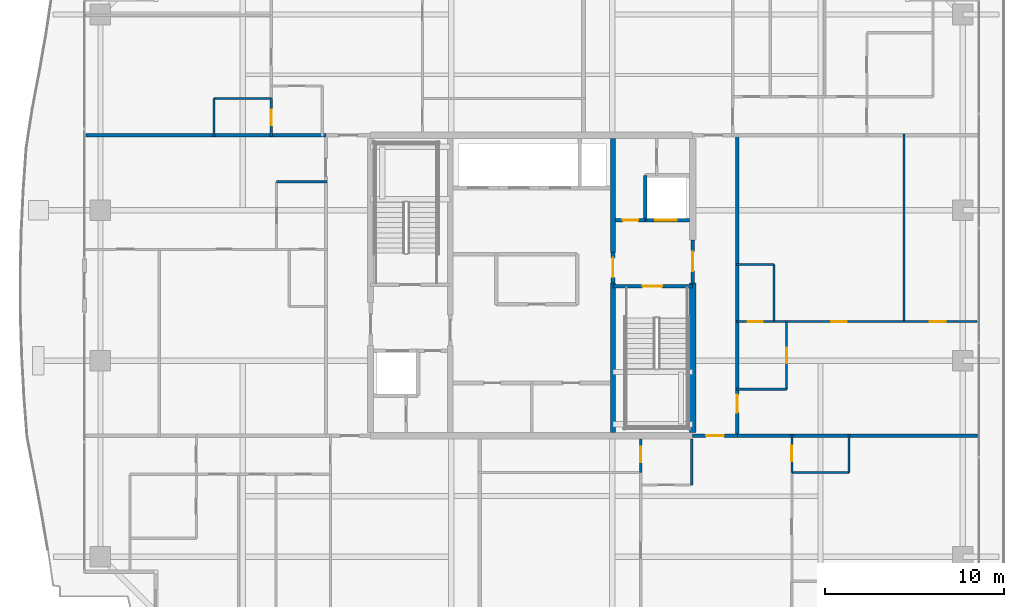
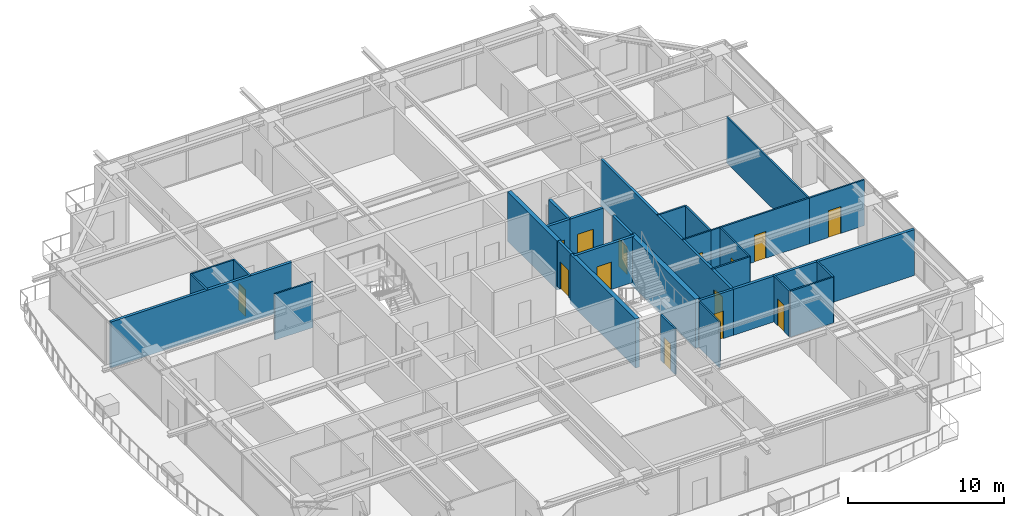
# One storey, part 26 of 37: 30 walls, 14 doors, 14 openings.
"""IFC4 building model written with IfcOpenShell, lengths in metres."""

from ifc_helpers import new_model, si_unit, direction, frame, frame_2d, origin, place, context, subcontext, project, spatial, rectangle, extrude, source, transform, mapped, material, layer, layer_set, type_object, element, fill, save


model = new_model("IFC4")

# Units and contexts
model_context = context("Model", 3, precision=1e-05, world=origin(), true_north=direction((0.0, 1.0)))
body_context = subcontext(model_context, "Body", "Model", "MODEL_VIEW")
ifc_project = project(units=[si_unit("LENGTHUNIT", "METRE"), si_unit("AREAUNIT", "SQUARE_METRE"), si_unit("VOLUMEUNIT", "CUBIC_METRE"), si_unit("PLANEANGLEUNIT", "RADIAN"), si_unit("MASSUNIT", "GRAM", prefix="KILO")], contexts=[model_context])

# Site, building, storey
site_placement = place(None, origin())
site = spatial("IfcSite", under=ifc_project, at=site_placement, CompositionType="ELEMENT")
building_placement = place(site_placement, origin())
building = spatial("IfcBuilding", under=site, at=building_placement, Name="Serunith Strait Residences", CompositionType="ELEMENT")
storey_placement = place(building_placement, frame((0.0, 0.0, 218.14990234375)))
storey = spatial("IfcBuildingStorey", under=building, at=storey_placement, Name="L54", CompositionType="ELEMENT", Elevation=218.14990234375)

# Wall, opening, door
ifc_material_1 = material(Name="Fire-rated acoustic gypsum partition")
ifc_layer_1 = layer(ifc_material_1, 0.179931640625, Name="Fire-rated acoustic gypsum partition")
ifc_layer_set_1 = layer_set([ifc_layer_1], Name="Fire-rated acoustic gypsum partition")
wall_type_1 = type_object("IfcWallType", Name="IW-CORR-180", PredefinedType="PARTITIONING", material=ifc_layer_set_1)
wall_1_placement = place(storey_placement, frame((41.402099609375, 16.800048828125, 0.0), z_axis=(0.0, 0.0, 1.0), x_axis=(1.0, 0.0, 0.0)))
wall_1 = element("IfcWall", 1, at=wall_1_placement, inside=storey, type_object=wall_type_1, Name="L54 Partition Wall 029", PredefinedType="PARTITIONING", context=body_context, shape_type="SweptSolid", body=[
    extrude(rectangle(XDim=2.495849609375, YDim=0.179931640625, at=frame_2d((1.248046875, 0.0))), origin(), (0.0, 0.0, 1.0), 3.590087890625),
])
opening_1_placement = place(wall_1_placement, frame((0.748046875, 0.0, 0.0)))
opening_1 = element("IfcOpeningElement", 2, at=opening_1_placement, cuts=wall_1, Name="Opening D-APT1000", PredefinedType="OPENING", context=body_context, shape_type="SweptSolid", body=[
    extrude(rectangle(XDim=1.0, YDim=2.14990234375, at=frame_2d((0.5, 1.074951171875))), frame((0.0, 0.10009765625, 0.0), z_axis=(0.0, -1.0, 0.0), x_axis=(1.0, 0.0, 0.0)), (0.0, 0.0, 1.0), 0.199951171875),
])
ifc_material_2 = material(Name="Solid timber engineered fire door", Category="wood")
door_type_1 = type_object("IfcDoorType", Name="ID-APT-1000", OperationType="NOTDEFINED", PredefinedType="DOOR", material=ifc_material_2)
shared_shape_1 = source(origin(), body_context, "Body", "SweptSolid", [
    extrude(rectangle(XDim=1.0, YDim=2.14990234375, at=frame_2d((0.5, 1.074951171875))), frame((0.0, 0.02490234375, 0.0), z_axis=(0.0, -1.0, 0.0), x_axis=(1.0, 0.0, 0.0)), (0.0, 0.0, 1.0), 0.050048828125),
])
door_1_placement = place(opening_1_placement, origin())
door_1 = element("IfcDoor", 3, at=door_1_placement, inside=storey, type_object=door_type_1, Name="L54 Unit 02 Entrance Door", OperationType="SINGLE_SWING_RIGHT", OverallHeight=2.14990234375, OverallWidth=1.0, PredefinedType="DOOR", context=body_context, shape_type="MappedRepresentation", body=[
    mapped(shared_shape_1, transform((0.0, 0.0, 0.0), scale=1.0)),
])
fill(opening_1, door_1)

wall_2_placement = place(storey_placement, frame((43.89990234375, 16.800048828125, 0.0), z_axis=(0.0, 0.0, 1.0), x_axis=(0.0, 1.0, 0.0)))
wall_2 = element("IfcWall", 4, at=wall_2_placement, inside=storey, type_object=wall_type_1, Name="L54 Partition Wall 031", PredefinedType="PARTITIONING", context=body_context, shape_type="SweptSolid", body=[
    extrude(rectangle(XDim=16.800048828125, YDim=0.179931640625, at=frame_2d((8.39990234375, 0.0))), origin(), (0.0, 0.0, 1.0), 3.590087890625),
])
opening_2_placement = place(wall_2_placement, frame((1.300048828125, 0.0, 0.0)))
opening_2 = element("IfcOpeningElement", 5, at=opening_2_placement, cuts=wall_2, Name="Opening D-APT1000", PredefinedType="OPENING", context=body_context, shape_type="SweptSolid", body=[
    extrude(rectangle(XDim=1.0, YDim=2.14990234375, at=frame_2d((0.5, 1.074951171875))), frame((0.0, 0.10009765625, 0.0), z_axis=(0.0, -1.0, 0.0), x_axis=(1.0, 0.0, 0.0)), (0.0, 0.0, 1.0), 0.199951171875),
])
door_2_placement = place(opening_2_placement, origin())
door_2 = element("IfcDoor", 6, at=door_2_placement, inside=storey, type_object=door_type_1, Name="L54 Unit 06 Entrance Door", OperationType="SINGLE_SWING_RIGHT", OverallHeight=2.14990234375, OverallWidth=1.0, PredefinedType="DOOR", context=body_context, shape_type="MappedRepresentation", body=[
    mapped(shared_shape_1, transform((0.0, 0.0, 0.0), scale=1.0)),
])
fill(opening_2, door_2)

# Wall
ifc_material_3 = material(Name="Lightweight steel-stud gypsum partition", Category="steel")
ifc_layer_2 = layer(ifc_material_3, 0.1201171875, Name="Lightweight steel-stud gypsum partition")
ifc_layer_set_2 = layer_set([ifc_layer_2], Name="Lightweight steel-stud gypsum partition")
wall_type_2 = type_object("IfcWallType", Name="IW-PART-120", PredefinedType="PARTITIONING", material=ifc_layer_set_2)
wall_3_placement = place(storey_placement, frame((41.35009765625, 14.050048828125, 0.0), z_axis=(0.0, 0.0, 1.0), x_axis=(0.0, 1.0, 0.0)))
element("IfcWall", 7, at=wall_3_placement, inside=storey, type_object=wall_type_2, Name="L54 Partition Wall 047", PredefinedType="PARTITIONING", context=body_context, shape_type="SweptSolid", body=[
    extrude(rectangle(XDim=2.574951171875, YDim=0.1201171875, at=frame_2d((1.28759765625, 0.0))), origin(), (0.0, 0.0, 1.0), 3.590087890625),
])

# Wall, opening, door
wall_4_placement = place(storey_placement, frame((38.5, 14.751953125, 0.0), z_axis=(0.0, 0.0, 1.0), x_axis=(0.0, 1.0, 0.0)))
wall_4 = element("IfcWall", 8, at=wall_4_placement, inside=storey, type_object=wall_type_2, Name="L54 Partition Wall 052", PredefinedType="PARTITIONING", context=body_context, shape_type="SweptSolid", body=[
    extrude(rectangle(XDim=1.873046875, YDim=0.1201171875, at=frame_2d((0.9365234375, 0.0))), origin(), (0.0, 0.0, 1.0), 3.590087890625),
])
opening_3_placement = place(wall_4_placement, frame((0.574951171875, 0.0, 0.0)))
opening_3 = element("IfcOpeningElement", 9, at=opening_3_placement, cuts=wall_4, Name="Opening D-BTH850", PredefinedType="OPENING", context=body_context, shape_type="SweptSolid", body=[
    extrude(rectangle(XDim=0.85009765625, YDim=2.10009765625, at=frame_2d((0.425048828125, 1.050048828125))), frame((0.0, 0.070068359375, 0.0), z_axis=(0.0, -1.0, 0.0), x_axis=(1.0, 0.0, 0.0)), (0.0, 0.0, 1.0), 0.14013671875),
])
ifc_material_4 = material(Name="Moisture-resistant timber bathroom door", Category="wood")
door_type_2 = type_object("IfcDoorType", Name="ID-BATH-850", OperationType="NOTDEFINED", PredefinedType="DOOR", material=ifc_material_4)
shared_shape_2 = source(origin(), body_context, "Body", "SweptSolid", [
    extrude(rectangle(XDim=0.85009765625, YDim=2.10009765625, at=frame_2d((0.425048828125, 1.050048828125))), frame((0.0, 0.02490234375, 0.0), z_axis=(0.0, -1.0, 0.0), x_axis=(1.0, 0.0, 0.0)), (0.0, 0.0, 1.0), 0.050048828125),
])
door_3_placement = place(opening_3_placement, origin())
door_3 = element("IfcDoor", 10, at=door_3_placement, inside=storey, type_object=door_type_2, Name="L54 Bathroom 5402 Door", OperationType="SINGLE_SWING_LEFT", OverallHeight=2.10009765625, OverallWidth=0.85009765625, PredefinedType="DOOR", context=body_context, shape_type="MappedRepresentation", body=[
    mapped(shared_shape_2, transform((0.0, 0.0, 0.0), scale=1.0)),
])
fill(opening_3, door_3)

# Walls
wall_5_placement = place(storey_placement, frame((46.949951171875, 14.75, 0.0), z_axis=(0.0, 0.0, 1.0), x_axis=(1.0, 0.0, 0.0)))
element("IfcWall", 11, at=wall_5_placement, inside=storey, type_object=wall_type_2, Name="L54 Partition Wall 055", PredefinedType="PARTITIONING", context=body_context, shape_type="SweptSolid", body=[
    extrude(rectangle(XDim=3.199951171875, YDim=0.1201171875, at=frame_2d((1.60009765625, 0.0))), origin(), (0.0, 0.0, 1.0), 3.590087890625),
])
wall_6_placement = place(storey_placement, frame((50.14990234375, 14.75, 0.0), z_axis=(0.0, 0.0, 1.0), x_axis=(0.0, 1.0, 0.0)))
element("IfcWall", 12, at=wall_6_placement, inside=storey, type_object=wall_type_2, Name="L54 Partition Wall 056", PredefinedType="PARTITIONING", context=body_context, shape_type="SweptSolid", body=[
    extrude(rectangle(XDim=2.110107421875, YDim=0.1201171875, at=frame_2d((1.05517578125, 0.0))), origin(), (0.0, 0.0, 1.0), 3.590087890625),
])

# Wall, opening, door
wall_7_placement = place(storey_placement, frame((46.949951171875, 14.751953125, 0.0), z_axis=(0.0, 0.0, 1.0), x_axis=(0.0, 1.0, 0.0)))
wall_7 = element("IfcWall", 13, at=wall_7_placement, inside=storey, type_object=wall_type_2, Name="L54 Partition Wall 058", PredefinedType="PARTITIONING", context=body_context, shape_type="SweptSolid", body=[
    extrude(rectangle(XDim=2.108154296875, YDim=0.1201171875, at=frame_2d((1.05419921875, 0.0))), origin(), (0.0, 0.0, 1.0), 3.590087890625),
])
opening_4_placement = place(wall_7_placement, frame((0.62890625, 0.0, 0.0)))
opening_4 = element("IfcOpeningElement", 14, at=opening_4_placement, cuts=wall_7, Name="Opening D-BTH850", PredefinedType="OPENING", context=body_context, shape_type="SweptSolid", body=[
    extrude(rectangle(XDim=0.85009765625, YDim=2.10009765625, at=frame_2d((0.425048828125, 1.050048828125))), frame((0.0, 0.070068359375, 0.0), z_axis=(0.0, -1.0, 0.0), x_axis=(1.0, 0.0, 0.0)), (0.0, 0.0, 1.0), 0.14013671875),
])
door_4_placement = place(opening_4_placement, origin())
door_4 = element("IfcDoor", 15, at=door_4_placement, inside=storey, type_object=door_type_2, Name="L54 Bathroom 5402 Door", OperationType="SINGLE_SWING_RIGHT", OverallHeight=2.10009765625, OverallWidth=0.85009765625, PredefinedType="DOOR", context=body_context, shape_type="MappedRepresentation", body=[
    mapped(shared_shape_2, transform((0.0, 0.0, 0.0), scale=1.0)),
])
fill(opening_4, door_4)

# Walls
wall_8_placement = place(storey_placement, frame((14.64990234375, 35.64990234375, 0.0), z_axis=(0.0, 0.0, 1.0), x_axis=(1.0, 0.0, 0.0)))
element("IfcWall", 16, at=wall_8_placement, inside=storey, type_object=wall_type_2, Name="L54 Partition Wall 063", PredefinedType="PARTITIONING", context=body_context, shape_type="SweptSolid", body=[
    extrude(rectangle(XDim=3.2001953125, YDim=0.1201171875, at=frame_2d((1.60009765625, 0.0))), origin(), (0.0, 0.0, 1.0), 3.590087890625),
])
wall_9_placement = place(storey_placement, frame((14.64990234375, 35.64990234375, 0.0), z_axis=(0.0, 0.0, 1.0), x_axis=(0.0, -1.0, 0.0)))
element("IfcWall", 17, at=wall_9_placement, inside=storey, type_object=wall_type_2, Name="L54 Partition Wall 064", PredefinedType="PARTITIONING", context=body_context, shape_type="SweptSolid", body=[
    extrude(rectangle(XDim=2.10986328125, YDim=0.1201171875, at=frame_2d((1.054931640625, 0.0))), origin(), (0.0, 0.0, 1.0), 3.590087890625),
])

# Wall, opening, door
wall_10_placement = place(storey_placement, frame((17.85009765625, 35.64794921875, 0.0), z_axis=(0.0, 0.0, 1.0), x_axis=(0.0, -1.0, 0.0)))
wall_10 = element("IfcWall", 18, at=wall_10_placement, inside=storey, type_object=wall_type_2, Name="L54 Partition Wall 066", PredefinedType="PARTITIONING", context=body_context, shape_type="SweptSolid", body=[
    extrude(rectangle(XDim=2.10791015625, YDim=0.1201171875, at=frame_2d((1.053955078125, 0.0))), origin(), (0.0, 0.0, 1.0), 3.590087890625),
])
opening_5_placement = place(wall_10_placement, frame((0.62890625, 0.0, 0.0)))
opening_5 = element("IfcOpeningElement", 19, at=opening_5_placement, cuts=wall_10, Name="Opening D-BTH850", PredefinedType="OPENING", context=body_context, shape_type="SweptSolid", body=[
    extrude(rectangle(XDim=0.85009765625, YDim=2.10009765625, at=frame_2d((0.425048828125, 1.050048828125))), frame((0.0, 0.070068359375, 0.0), z_axis=(0.0, -1.0, 0.0), x_axis=(1.0, 0.0, 0.0)), (0.0, 0.0, 1.0), 0.14013671875),
])
door_5_placement = place(opening_5_placement, origin())
door_5 = element("IfcDoor", 20, at=door_5_placement, inside=storey, type_object=door_type_2, Name="L54 Bathroom 5403 Door", OperationType="SINGLE_SWING_RIGHT", OverallHeight=2.10009765625, OverallWidth=0.85009765625, PredefinedType="DOOR", context=body_context, shape_type="MappedRepresentation", body=[
    mapped(shared_shape_2, transform((0.0, 0.0, 0.0), scale=1.0)),
])
fill(opening_5, door_5)

# Wall
wall_11_placement = place(storey_placement, frame((18.14990234375, 31.0, 0.0), z_axis=(0.0, 0.0, 1.0), x_axis=(1.0, 0.0, 0.0)))
element("IfcWall", 21, at=wall_11_placement, inside=storey, type_object=wall_type_2, Name="L54 Partition Wall 087", PredefinedType="PARTITIONING", context=body_context, shape_type="SweptSolid", body=[
    extrude(rectangle(XDim=2.81005859375, YDim=0.1201171875, at=frame_2d((1.405029296875, 0.0))), origin(), (0.0, 0.0, 1.0), 3.590087890625),
])

# Wall, opening, door
wall_12_placement = place(storey_placement, frame((46.64990234375, 19.39990234375, 0.0), z_axis=(0.0, 0.0, 1.0), x_axis=(0.0, 1.0, 0.0)))
wall_12 = element("IfcWall", 22, at=wall_12_placement, inside=storey, type_object=wall_type_2, Name="L54 Partition Wall 094", PredefinedType="PARTITIONING", context=body_context, shape_type="SweptSolid", body=[
    extrude(rectangle(XDim=3.780029296875, YDim=0.1201171875, at=frame_2d((1.89013671875, 0.0))), origin(), (0.0, 0.0, 1.0), 3.590087890625),
])
opening_6_placement = place(wall_12_placement, frame((1.465087890625, 0.0, 0.0)))
opening_6 = element("IfcOpeningElement", 23, at=opening_6_placement, cuts=wall_12, Name="Opening D-RM850", PredefinedType="OPENING", context=body_context, shape_type="SweptSolid", body=[
    extrude(rectangle(XDim=0.85009765625, YDim=2.10009765625, at=frame_2d((0.425048828125, 1.050048828125))), frame((0.0, 0.070068359375, 0.0), z_axis=(0.0, -1.0, 0.0), x_axis=(1.0, 0.0, 0.0)), (0.0, 0.0, 1.0), 0.14013671875),
])
ifc_material_5 = material(Name="Engineered timber flush study and kitchen door", Category="wood")
door_type_3 = type_object("IfcDoorType", Name="ID-ROOM-850", OperationType="NOTDEFINED", PredefinedType="DOOR", material=ifc_material_5)
door_6_placement = place(opening_6_placement, origin())
door_6 = element("IfcDoor", 24, at=door_6_placement, inside=storey, type_object=door_type_3, Name="L54 Kitchen 5406 Door", OperationType="SINGLE_SWING_LEFT", OverallHeight=2.10009765625, OverallWidth=0.85009765625, PredefinedType="DOOR", context=body_context, shape_type="MappedRepresentation", body=[
    mapped(shared_shape_2, transform((0.0, 0.0, 0.0), scale=1.0)),
])
fill(opening_6, door_6)

# Wall
wall_13_placement = place(storey_placement, frame((46.64990234375, 19.39990234375, 0.0), z_axis=(0.0, 0.0, 1.0), x_axis=(-1.0, 0.0, 0.0)))
element("IfcWall", 25, at=wall_13_placement, inside=storey, type_object=wall_type_2, Name="L54 Partition Wall 095", PredefinedType="PARTITIONING", context=body_context, shape_type="SweptSolid", body=[
    extrude(rectangle(XDim=2.809814453125, YDim=0.1201171875, at=frame_2d((1.40478515625, 0.0))), origin(), (0.0, 0.0, 1.0), 3.590087890625),
])

# Wall, opening, door
wall_14_placement = place(storey_placement, frame((57.304931640625, 23.179931640625, 0.0), z_axis=(0.0, 0.0, 1.0), x_axis=(-1.0, 0.0, 0.0)))
wall_14 = element("IfcWall", 26, at=wall_14_placement, inside=storey, type_object=wall_type_2, Name="L54 Partition Wall 096", PredefinedType="PARTITIONING", context=body_context, shape_type="SweptSolid", body=[
    extrude(rectangle(XDim=4.0888671875, YDim=0.1201171875, at=frame_2d((2.04443359375, 0.0))), origin(), (0.0, 0.0, 1.0), 3.590087890625),
])
opening_7_placement = place(wall_14_placement, frame((1.75390625, 0.0, 0.0)))
opening_7 = element("IfcOpeningElement", 27, at=opening_7_placement, cuts=wall_14, Name="Opening D-RM900", PredefinedType="OPENING", context=body_context, shape_type="SweptSolid", body=[
    extrude(rectangle(XDim=0.89990234375, YDim=2.10009765625, at=frame_2d((0.449951171875, 1.050048828125))), frame((0.0, 0.070068359375, 0.0), z_axis=(0.0, -1.0, 0.0), x_axis=(1.0, 0.0, 0.0)), (0.0, 0.0, 1.0), 0.14013671875),
])
ifc_material_6 = material(Name="Engineered timber flush bedroom door", Category="wood")
door_type_4 = type_object("IfcDoorType", Name="ID-ROOM-900", OperationType="NOTDEFINED", PredefinedType="DOOR", material=ifc_material_6)
shared_shape_3 = source(origin(), body_context, "Body", "SweptSolid", [
    extrude(rectangle(XDim=0.89990234375, YDim=2.10009765625, at=frame_2d((0.449951171875, 1.050048828125))), frame((0.0, 0.02490234375, 0.0), z_axis=(0.0, -1.0, 0.0), x_axis=(1.0, 0.0, 0.0)), (0.0, 0.0, 1.0), 0.050048828125),
])
door_7_placement = place(opening_7_placement, origin())
door_7 = element("IfcDoor", 28, at=door_7_placement, inside=storey, type_object=door_type_4, Name="L54 Master Bedroom 1 5406 Door", OperationType="SINGLE_SWING_RIGHT", OverallHeight=2.10009765625, OverallWidth=0.89990234375, PredefinedType="DOOR", context=body_context, shape_type="MappedRepresentation", body=[
    mapped(shared_shape_3, transform((0.0, 0.0, 0.0), scale=1.0)),
])
fill(opening_7, door_7)

# Walls
wall_15_placement = place(storey_placement, frame((53.216064453125, 23.179931640625, 0.0), z_axis=(0.0, 0.0, 1.0), x_axis=(0.0, 1.0, 0.0)))
element("IfcWall", 29, at=wall_15_placement, inside=storey, type_object=wall_type_2, Name="L54 Partition Wall 097", PredefinedType="PARTITIONING", context=body_context, shape_type="SweptSolid", body=[
    extrude(rectangle(XDim=10.47998046875, YDim=0.1201171875, at=frame_2d((5.239990234375, 0.0))), origin(), (0.0, 0.0, 1.0), 3.590087890625),
])
wall_16_placement = place(storey_placement, frame((45.949951171875, 23.179931640625, 0.0), z_axis=(0.0, 0.0, 1.0), x_axis=(0.0, 1.0, 0.0)))
element("IfcWall", 30, at=wall_16_placement, inside=storey, type_object=wall_type_2, Name="L54 Partition Wall 098", PredefinedType="PARTITIONING", context=body_context, shape_type="SweptSolid", body=[
    extrude(rectangle(XDim=3.199951171875, YDim=0.1201171875, at=frame_2d((1.60009765625, 0.0))), origin(), (0.0, 0.0, 1.0), 3.590087890625),
])
wall_17_placement = place(storey_placement, frame((45.949951171875, 26.3798828125, 0.0), z_axis=(0.0, 0.0, 1.0), x_axis=(-1.0, 0.0, 0.0)))
element("IfcWall", 31, at=wall_17_placement, inside=storey, type_object=wall_type_2, Name="L54 Partition Wall 099", PredefinedType="PARTITIONING", context=body_context, shape_type="SweptSolid", body=[
    extrude(rectangle(XDim=2.10986328125, YDim=0.1201171875, at=frame_2d((1.054931640625, 0.0))), origin(), (0.0, 0.0, 1.0), 3.590087890625),
])

# Wall, opening, door
wall_18_placement = place(storey_placement, frame((53.214111328125, 23.179931640625, 0.0), z_axis=(0.0, 0.0, 1.0), x_axis=(-1.0, 0.0, 0.0)))
wall_18 = element("IfcWall", 32, at=wall_18_placement, inside=storey, type_object=wall_type_2, Name="L54 Partition Wall 100", PredefinedType="PARTITIONING", context=body_context, shape_type="SweptSolid", body=[
    extrude(rectangle(XDim=7.26416015625, YDim=0.1201171875, at=frame_2d((3.632080078125, 0.0))), origin(), (0.0, 0.0, 1.0), 3.590087890625),
])
opening_8_placement = place(wall_18_placement, frame((3.20703125, 0.0, 0.0)))
opening_8 = element("IfcOpeningElement", 33, at=opening_8_placement, cuts=wall_18, Name="Opening D-RM850", PredefinedType="OPENING", context=body_context, shape_type="SweptSolid", body=[
    extrude(rectangle(XDim=0.85009765625, YDim=2.10009765625, at=frame_2d((0.425048828125, 1.050048828125))), frame((0.0, 0.070068359375, 0.0), z_axis=(0.0, -1.0, 0.0), x_axis=(1.0, 0.0, 0.0)), (0.0, 0.0, 1.0), 0.14013671875),
])
door_8_placement = place(opening_8_placement, origin())
door_8 = element("IfcDoor", 34, at=door_8_placement, inside=storey, type_object=door_type_3, Name="L54 Walk-in Wardrobe 5406 Door", OperationType="SINGLE_SWING_LEFT", OverallHeight=2.10009765625, OverallWidth=0.85009765625, PredefinedType="DOOR", context=body_context, shape_type="MappedRepresentation", body=[
    mapped(shared_shape_2, transform((0.0, 0.0, 0.0), scale=1.0)),
])
fill(opening_8, door_8)

wall_19_placement = place(storey_placement, frame((45.947998046875, 23.179931640625, 0.0), z_axis=(0.0, 0.0, 1.0), x_axis=(-1.0, 0.0, 0.0)))
wall_19 = element("IfcWall", 35, at=wall_19_placement, inside=storey, type_object=wall_type_2, Name="L54 Partition Wall 101", PredefinedType="PARTITIONING", context=body_context, shape_type="SweptSolid", body=[
    extrude(rectangle(XDim=2.10791015625, YDim=0.1201171875, at=frame_2d((1.053955078125, 0.0))), origin(), (0.0, 0.0, 1.0), 3.590087890625),
])
opening_9_placement = place(wall_19_placement, frame((0.62890625, 0.0, 0.0)))
opening_9 = element("IfcOpeningElement", 36, at=opening_9_placement, cuts=wall_19, Name="Opening D-BTH850", PredefinedType="OPENING", context=body_context, shape_type="SweptSolid", body=[
    extrude(rectangle(XDim=0.85009765625, YDim=2.10009765625, at=frame_2d((0.425048828125, 1.050048828125))), frame((0.0, 0.070068359375, 0.0), z_axis=(0.0, -1.0, 0.0), x_axis=(1.0, 0.0, 0.0)), (0.0, 0.0, 1.0), 0.14013671875),
])
door_9_placement = place(opening_9_placement, origin())
door_9 = element("IfcDoor", 37, at=door_9_placement, inside=storey, type_object=door_type_2, Name="L54 Bathroom 5406 Door", OperationType="SINGLE_SWING_RIGHT", OverallHeight=2.10009765625, OverallWidth=0.85009765625, PredefinedType="DOOR", context=body_context, shape_type="MappedRepresentation", body=[
    mapped(shared_shape_2, transform((0.0, 0.0, 0.0), scale=1.0)),
])
fill(opening_9, door_9)

# Walls
ifc_material_7 = material(Name="Twin-stud acoustic gypsum board partition")
ifc_layer_3 = layer(ifc_material_7, 0.199951171875, Name="Twin-stud acoustic gypsum board partition")
ifc_layer_set_3 = layer_set([ifc_layer_3], Name="Twin-stud acoustic gypsum board partition")
wall_type_3 = type_object("IfcWallType", Name="IW-PARTY-200", PredefinedType="PARTITIONING", material=ifc_layer_set_3)
wall_20_placement = place(storey_placement, frame((43.89990234375, 16.800048828125, 0.0), z_axis=(0.0, 0.0, 1.0), x_axis=(1.0, 0.0, 0.0)))
element("IfcWall", 38, at=wall_20_placement, inside=storey, type_object=wall_type_3, Name="L54 Partition Wall 023", PredefinedType="PARTITIONING", context=body_context, shape_type="SweptSolid", body=[
    extrude(rectangle(XDim=13.418212890625, YDim=0.199951171875, at=frame_2d((6.708984375, 0.0))), origin(), (0.0, 0.0, 1.0), 3.590087890625),
])
wall_21_placement = place(storey_placement, frame((7.48193359375, 33.60009765625, 0.0), z_axis=(0.0, 0.0, 1.0), x_axis=(1.0, 0.0, 0.0)))
element("IfcWall", 39, at=wall_21_placement, inside=storey, type_object=wall_type_3, Name="L54 Partition Wall 024", PredefinedType="PARTITIONING", context=body_context, shape_type="SweptSolid", body=[
    extrude(rectangle(XDim=13.41796875, YDim=0.199951171875, at=frame_2d((6.708984375, 0.0))), origin(), (0.0, 0.0, 1.0), 3.590087890625),
])

# Wall, opening, door
ifc_material_8 = material(Name="Autoclaved aerated concrete blockwork", Category="masonry")
ifc_layer_4 = layer(ifc_material_8, 0.199951171875, Name="Autoclaved aerated concrete blockwork")
ifc_layer_set_4 = layer_set([ifc_layer_4], Name="Autoclaved aerated concrete blockwork")
wall_type_4 = type_object("IfcWallType", Name="IW-SHAFT-200", PredefinedType="STANDARD", material=ifc_layer_set_4)
wall_22_placement = place(storey_placement, frame((36.949951171875, 25.14990234375, 0.0), z_axis=(0.0, 0.0, 1.0), x_axis=(1.0, 0.0, 0.0)))
wall_22 = element("IfcWall", 40, at=wall_22_placement, inside=storey, type_object=wall_type_4, Name="L54 ST-2 North Shaft Wall", PredefinedType="STANDARD", context=body_context, shape_type="SweptSolid", body=[
    extrude(rectangle(XDim=4.449951171875, YDim=0.199951171875, at=frame_2d((2.22509765625, 0.0))), origin(), (0.0, 0.0, 1.0), 3.590087890625),
])
opening_10_placement = place(wall_22_placement, frame((1.64990234375, 0.0, 0.0)))
opening_10 = element("IfcOpeningElement", 41, at=opening_10_placement, cuts=wall_22, Name="Opening FD-1100", PredefinedType="OPENING", context=body_context, shape_type="SweptSolid", body=[
    extrude(rectangle(XDim=1.10009765625, YDim=2.14990234375, at=frame_2d((0.550048828125, 1.074951171875))), frame((0.0, 0.10986328125, 0.0), z_axis=(0.0, -1.0, 0.0), x_axis=(1.0, 0.0, 0.0)), (0.0, 0.0, 1.0), 0.219970703125),
])
ifc_material_9 = material(Name="Galvanised steel fire door leaf", Category="steel")
door_type_5 = type_object("IfcDoorType", Name="FD-STAIR-1100", OperationType="NOTDEFINED", PredefinedType="DOOR", material=ifc_material_9)
shared_shape_4 = source(origin(), body_context, "Body", "SweptSolid", [
    extrude(rectangle(XDim=1.10009765625, YDim=2.14990234375, at=frame_2d((0.550048828125, 1.074951171875))), frame((0.0, 0.02490234375, 0.0), z_axis=(0.0, -1.0, 0.0), x_axis=(1.0, 0.0, 0.0)), (0.0, 0.0, 1.0), 0.050048828125),
])
door_10_placement = place(opening_10_placement, origin())
door_10 = element("IfcDoor", 42, at=door_10_placement, inside=storey, type_object=door_type_5, Name="L54 ST-2 Escape Stair Door", OperationType="SINGLE_SWING_LEFT", OverallHeight=2.14990234375, OverallWidth=1.10009765625, PredefinedType="DOOR", context=body_context, shape_type="MappedRepresentation", body=[
    mapped(shared_shape_4, transform((0.0, 0.0, 0.0), scale=1.0)),
])
fill(opening_10, door_10)

wall_23_placement = place(storey_placement, frame((38.75, 28.85009765625, 0.0), z_axis=(0.0, 0.0, 1.0), x_axis=(1.0, 0.0, 0.0)))
wall_23 = element("IfcWall", 43, at=wall_23_placement, inside=storey, type_object=wall_type_4, Name="L54 FL-2 South Shaft Wall", PredefinedType="STANDARD", context=body_context, shape_type="SweptSolid", body=[
    extrude(rectangle(XDim=2.47509765625, YDim=0.199951171875, at=frame_2d((1.237548828125, 0.0))), origin(), (0.0, 0.0, 1.0), 3.590087890625),
])
opening_11_placement = place(wall_23_placement, frame((0.550048828125, 0.0, 0.0)))
opening_11 = element("IfcOpeningElement", 44, at=opening_11_placement, cuts=wall_23, Name="Opening LD-FF1200", PredefinedType="OPENING", context=body_context, shape_type="SweptSolid", body=[
    extrude(rectangle(XDim=1.199951171875, YDim=2.199951171875, at=frame_2d((0.60009765625, 1.10009765625))), frame((0.0, 0.10986328125, 0.0), z_axis=(0.0, -1.0, 0.0), x_axis=(1.0, 0.0, 0.0)), (0.0, 0.0, 1.0), 0.219970703125),
])
ifc_material_10 = material(Name="Brushed stainless steel landing door", Category="steel")
door_type_6 = type_object("IfcDoorType", Name="LD-FF-1200", OperationType="DOUBLE_DOOR_SLIDING", PredefinedType="DOOR", material=ifc_material_10)
shared_shape_5 = source(origin(), body_context, "Body", "SweptSolid", [
    extrude(rectangle(XDim=1.199951171875, YDim=2.199951171875, at=frame_2d((0.60009765625, 1.10009765625))), frame((0.0, 0.02490234375, 0.0), z_axis=(0.0, -1.0, 0.0), x_axis=(1.0, 0.0, 0.0)), (0.0, 0.0, 1.0), 0.050048828125),
])
door_11_placement = place(opening_11_placement, origin())
door_11 = element("IfcDoor", 45, at=door_11_placement, inside=storey, type_object=door_type_6, Name="L54 FL-2 Landing Door", OperationType="DOUBLE_DOOR_SLIDING", OverallHeight=2.199951171875, OverallWidth=1.199951171875, PredefinedType="DOOR", context=body_context, shape_type="MappedRepresentation", body=[
    mapped(shared_shape_5, transform((0.0, 0.0, 0.0), scale=1.0)),
])
fill(opening_11, door_11)

# Wall
wall_24_placement = place(storey_placement, frame((38.75, 28.85009765625, 0.0), z_axis=(0.0, 0.0, 1.0), x_axis=(0.0, 1.0, 0.0)))
element("IfcWall", 46, at=wall_24_placement, inside=storey, type_object=wall_type_4, Name="L54 Partition Wall 004", PredefinedType="STANDARD", context=body_context, shape_type="SweptSolid", body=[
    extrude(rectangle(XDim=2.5, YDim=0.199951171875, at=frame_2d((1.25, 0.0))), origin(), (0.0, 0.0, 1.0), 3.590087890625),
])

# Wall, opening, door
wall_25_placement = place(storey_placement, frame((37.10009765625, 28.85009765625, 0.0), z_axis=(0.0, 0.0, 1.0), x_axis=(1.0, 0.0, 0.0)))
wall_25 = element("IfcWall", 47, at=wall_25_placement, inside=storey, type_object=wall_type_4, Name="L54 Partition Wall 006", PredefinedType="STANDARD", context=body_context, shape_type="SweptSolid", body=[
    extrude(rectangle(XDim=1.64794921875, YDim=0.199951171875, at=frame_2d((0.823974609375, 0.0))), origin(), (0.0, 0.0, 1.0), 3.590087890625),
])
opening_12_placement = place(wall_25_placement, frame((0.39892578125, 0.0, 0.0)))
opening_12 = element("IfcOpeningElement", 48, at=opening_12_placement, cuts=wall_25, Name="Opening FD-850", PredefinedType="OPENING", context=body_context, shape_type="SweptSolid", body=[
    extrude(rectangle(XDim=0.85009765625, YDim=2.10009765625, at=frame_2d((0.425048828125, 1.050048828125))), frame((0.0, 0.10986328125, 0.0), z_axis=(0.0, -1.0, 0.0), x_axis=(1.0, 0.0, 0.0)), (0.0, 0.0, 1.0), 0.219970703125),
])
ifc_material_11 = material(Name="Powder-coated steel service closet door", Category="steel")
door_type_7 = type_object("IfcDoorType", Name="FD-BOH-850", OperationType="NOTDEFINED", PredefinedType="DOOR", material=ifc_material_11)
door_12_placement = place(opening_12_placement, origin())
door_12 = element("IfcDoor", 49, at=door_12_placement, inside=storey, type_object=door_type_7, Name="L54 North-East Core Service Door", OperationType="SINGLE_SWING_LEFT", OverallHeight=2.10009765625, OverallWidth=0.85009765625, PredefinedType="DOOR", context=body_context, shape_type="MappedRepresentation", body=[
    mapped(shared_shape_2, transform((0.0, 0.0, 0.0), scale=1.0)),
])
fill(opening_12, door_12)

wall_26_placement = place(storey_placement, frame((41.39990234375, 25.35205078125, 0.0), z_axis=(0.0, 0.0, 1.0), x_axis=(0.0, 1.0, 0.0)))
wall_26 = element("IfcWall", 50, at=wall_26_placement, inside=storey, type_object=wall_type_4, Name="L54 Partition Wall 008", PredefinedType="STANDARD", context=body_context, shape_type="SweptSolid", body=[
    extrude(rectangle(XDim=2.39599609375, YDim=0.199951171875, at=frame_2d((1.197998046875, 0.0))), origin(), (0.0, 0.0, 1.0), 3.590087890625),
])
opening_13_placement = place(wall_26_placement, frame((0.64794921875, 0.0, 0.0)))
opening_13 = element("IfcOpeningElement", 51, at=opening_13_placement, cuts=wall_26, Name="Opening FD-FFL", PredefinedType="OPENING", context=body_context, shape_type="SweptSolid", body=[
    extrude(rectangle(XDim=1.10009765625, YDim=2.14990234375, at=frame_2d((0.550048828125, 1.074951171875))), frame((0.0, 0.10986328125, 0.0), z_axis=(0.0, -1.0, 0.0), x_axis=(1.0, 0.0, 0.0)), (0.0, 0.0, 1.0), 0.219970703125),
])
ifc_material_12 = material(Name="Glazed steel smoke-lobby fire door", Category="steel")
door_type_8 = type_object("IfcDoorType", Name="FD-FFL-1100", OperationType="NOTDEFINED", PredefinedType="DOOR", material=ifc_material_12)
door_13_placement = place(opening_13_placement, origin())
door_13 = element("IfcDoor", 52, at=door_13_placement, inside=storey, type_object=door_type_8, Name="L54 FFL-2 Corridor Fire Door", OperationType="SINGLE_SWING_LEFT", OverallHeight=2.14990234375, OverallWidth=1.10009765625, PredefinedType="DOOR", context=body_context, shape_type="MappedRepresentation", body=[
    mapped(shared_shape_4, transform((0.0, 0.0, 0.0), scale=1.0)),
])
fill(opening_13, door_13)

wall_27_placement = place(storey_placement, frame((36.949951171875, 25.35205078125, 0.0), z_axis=(0.0, 0.0, 1.0), x_axis=(0.0, 1.0, 0.0)))
wall_27 = element("IfcWall", 53, at=wall_27_placement, inside=storey, type_object=wall_type_4, Name="L54 Partition Wall 010", PredefinedType="STANDARD", context=body_context, shape_type="SweptSolid", body=[
    extrude(rectangle(XDim=1.696044921875, YDim=0.199951171875, at=frame_2d((0.84814453125, 0.0))), origin(), (0.0, 0.0, 1.0), 3.590087890625),
])
opening_14_placement = place(wall_27_placement, frame((0.298095703125, 0.0, 0.0)))
opening_14 = element("IfcOpeningElement", 54, at=opening_14_placement, cuts=wall_27, Name="Opening FD-FFL", PredefinedType="OPENING", context=body_context, shape_type="SweptSolid", body=[
    extrude(rectangle(XDim=1.10009765625, YDim=2.14990234375, at=frame_2d((0.550048828125, 1.074951171875))), frame((0.0, 0.10986328125, 0.0), z_axis=(0.0, -1.0, 0.0), x_axis=(1.0, 0.0, 0.0)), (0.0, 0.0, 1.0), 0.219970703125),
])
door_14_placement = place(opening_14_placement, origin())
door_14 = element("IfcDoor", 55, at=door_14_placement, inside=storey, type_object=door_type_8, Name="L54 FFL-2 Lift Lobby Door", OperationType="SINGLE_SWING_LEFT", OverallHeight=2.14990234375, OverallWidth=1.10009765625, PredefinedType="DOOR", context=body_context, shape_type="MappedRepresentation", body=[
    mapped(shared_shape_4, transform((0.0, 0.0, 0.0), scale=1.0)),
])
fill(opening_14, door_14)

# Walls
ifc_material_13 = material(Name="Concrete C60/75", Category="concrete")
ifc_layer_5 = layer(ifc_material_13, 0.300048828125, Name="Concrete C60/75")
ifc_layer_set_5 = layer_set([ifc_layer_5], Name="Concrete C60/75")
wall_type_5 = type_object("IfcWallType", Name="SW-300-C60", PredefinedType="SHEAR", material=ifc_layer_set_5)
wall_28_placement = place(storey_placement, frame((36.949951171875, 16.97509765625, -0.260009765625), z_axis=(0.0, 0.0, 1.0), x_axis=(0.0, 1.0, 0.0)))
element("IfcWall", 56, at=wall_28_placement, inside=storey, type_object=wall_type_5, Name="L54 Core Internal East Web South Pier", PredefinedType="SHEAR", context=body_context, shape_type="SweptSolid", body=[
    extrude(rectangle(XDim=8.375, YDim=0.300048828125, at=frame_2d((4.1875, 0.0))), origin(), (0.0, 0.0, 1.0), 3.84814453125),
])
wall_29_placement = place(storey_placement, frame((36.949951171875, 27.050048828125, -0.260009765625), z_axis=(0.0, 0.0, 1.0), x_axis=(0.0, 1.0, 0.0)))
element("IfcWall", 57, at=wall_29_placement, inside=storey, type_object=wall_type_5, Name="L54 Core Internal East Web North Pier", PredefinedType="SHEAR", context=body_context, shape_type="SweptSolid", body=[
    extrude(rectangle(XDim=6.375, YDim=0.300048828125, at=frame_2d((3.1875, 0.0))), origin(), (0.0, 0.0, 1.0), 3.84814453125),
])
ifc_layer_6 = layer(ifc_material_13, 0.35009765625, Name="Concrete C60/75")
ifc_layer_set_6 = layer_set([ifc_layer_6], Name="Concrete C60/75")
wall_type_6 = type_object("IfcWallType", Name="SW-350-C60", PredefinedType="SHEAR", material=ifc_layer_set_6)
wall_30_placement = place(storey_placement, frame((41.39990234375, 16.97509765625, -0.260009765625), z_axis=(0.0, 0.0, 1.0), x_axis=(0.0, 1.0, 0.0)))
element("IfcWall", 58, at=wall_30_placement, inside=storey, type_object=wall_type_6, Name="L54 Core East Shear Wall South Pier", PredefinedType="SHEAR", context=body_context, shape_type="SweptSolid", body=[
    extrude(rectangle(XDim=8.375, YDim=0.35009765625, at=frame_2d((4.1875, 0.0))), origin(), (0.0, 0.0, 1.0), 3.84814453125),
])

save(model, "model.ifc")
